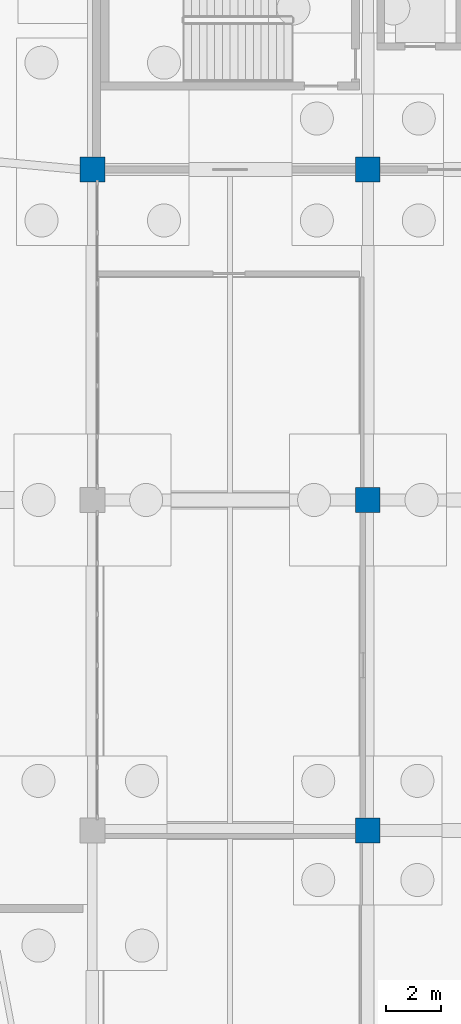
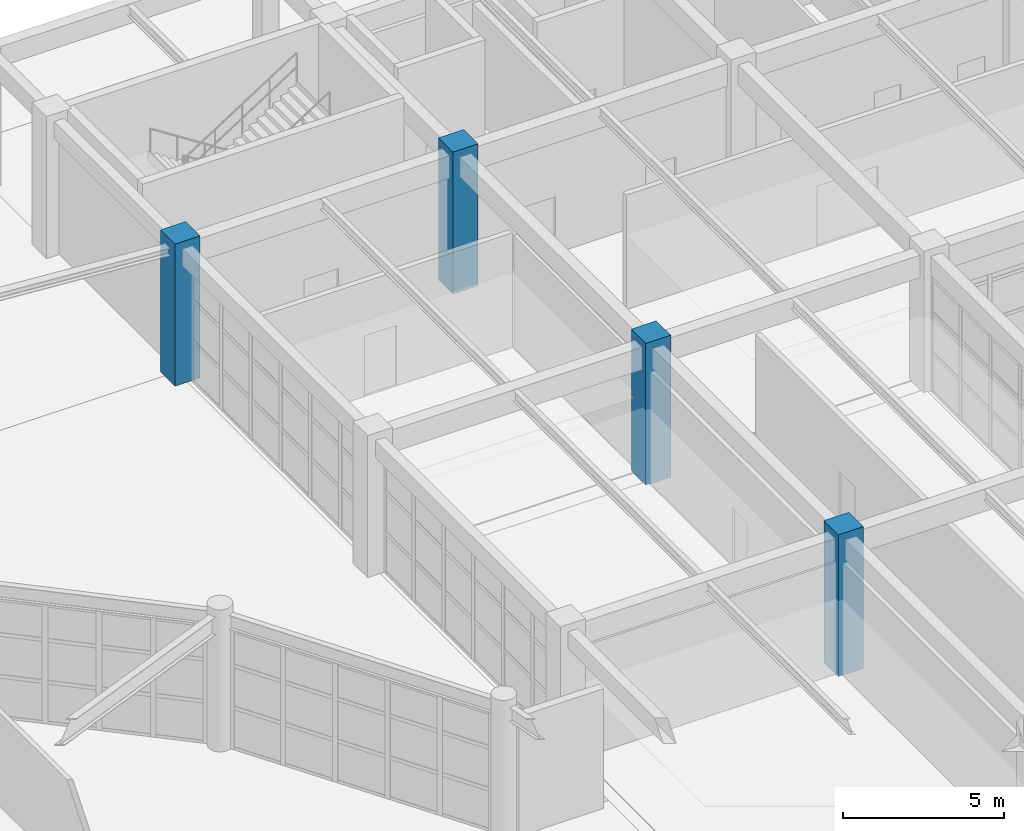
# One storey, part 21 of 99: 4 columns.
"""IFC4 building model written with IfcOpenShell, lengths in metres."""

from ifc_helpers import new_model, si_unit, direction, frame, origin, origin_2d, place, context, subcontext, project, spatial, rectangle, extrude, material, material_profile, profile_set, type_object, element, save


model = new_model("IFC4")

# Units and contexts
model_context = context("Model", 3, precision=1e-05, world=origin(), true_north=direction((0.0, 1.0)))
body_context = subcontext(model_context, "Body", "Model", "MODEL_VIEW")
ifc_project = project(units=[si_unit("LENGTHUNIT", "METRE"), si_unit("AREAUNIT", "SQUARE_METRE"), si_unit("VOLUMEUNIT", "CUBIC_METRE"), si_unit("PLANEANGLEUNIT", "RADIAN"), si_unit("MASSUNIT", "GRAM", prefix="KILO")], contexts=[model_context])

# Site, building, storey
site_placement = place(None, origin())
site = spatial("IfcSite", under=ifc_project, at=site_placement, CompositionType="ELEMENT")
building_placement = place(site_placement, origin())
building = spatial("IfcBuilding", under=site, at=building_placement, Name="Kivolera Central Railway Station", CompositionType="ELEMENT")
storey_placement = place(building_placement, origin())
storey = spatial("IfcBuildingStorey", under=building, at=storey_placement, Name="L00", CompositionType="ELEMENT", Elevation=0.0)

# Columns
ifc_material = material(Name="Concrete C40/50", Category="concrete")
ifc_material_profile = material_profile(ifc_material, rectangle(XDim=0.89990234375, YDim=0.89990234375, at=origin_2d()), Name="RC 900x900")
ifc_profile_set = profile_set([ifc_material_profile], Name="Concrete C40/50")
column_type = type_object("IfcColumnType", Name="COL-RC-900", PredefinedType="COLUMN", material=ifc_profile_set)
for number, where, z_axis, x_axis, name in (
    (1, (118.0, 126.0, 0.0), (0.0, 0.0, 1.0), (1.0, 0.0, 0.0), "L00 Wing Column 12-L"),
    (2, (128.0, 102.0, 0.0), (0.0, 0.0, 1.0), (1.0, 0.0, 0.0), "L00 Wing Column 13-J"),
    (3, (128.0, 114.0, 0.0), (0.0, 0.0, 1.0), (1.0, 0.0, 0.0), "L00 Wing Column 13-K"),
    (4, (128.0, 126.0, 0.0), (0.0, 0.0, 1.0), (1.0, 0.0, 0.0), "L00 Wing Column 13-L"),
):
    element("IfcColumn", number, at=place(storey_placement, frame(where, z_axis=z_axis, x_axis=x_axis)), inside=storey, type_object=column_type, Name=name, PredefinedType="COLUMN", context=body_context, shape_type="SweptSolid", body=[
        extrude(rectangle(XDim=0.89990234375, YDim=0.89990234375, at=origin_2d()), origin(), (0.0, 0.0, 1.0), 5.39990234375),
    ])

save(model, "model.ifc")
